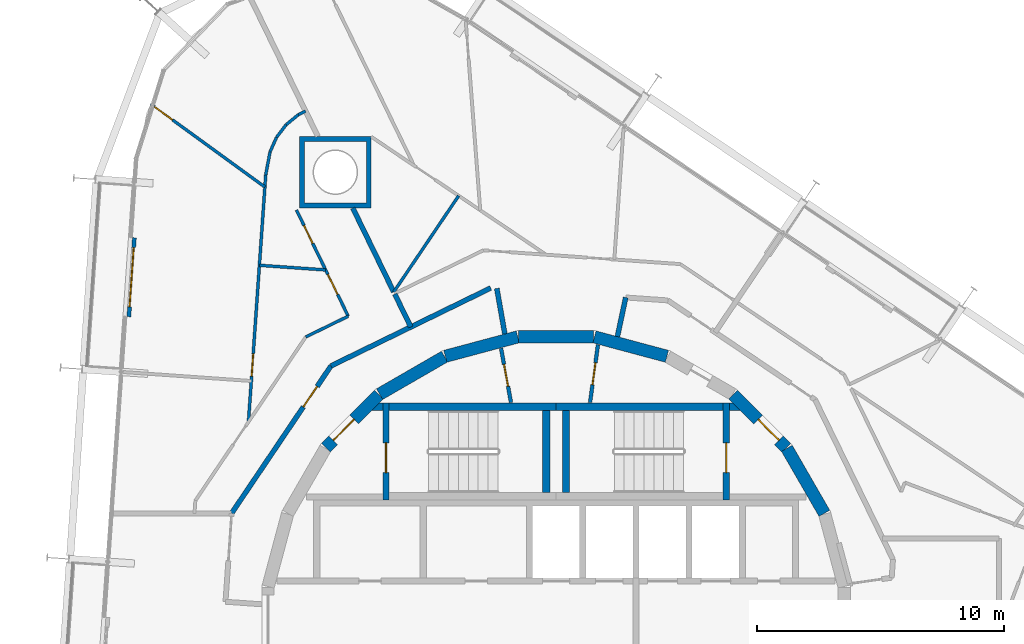
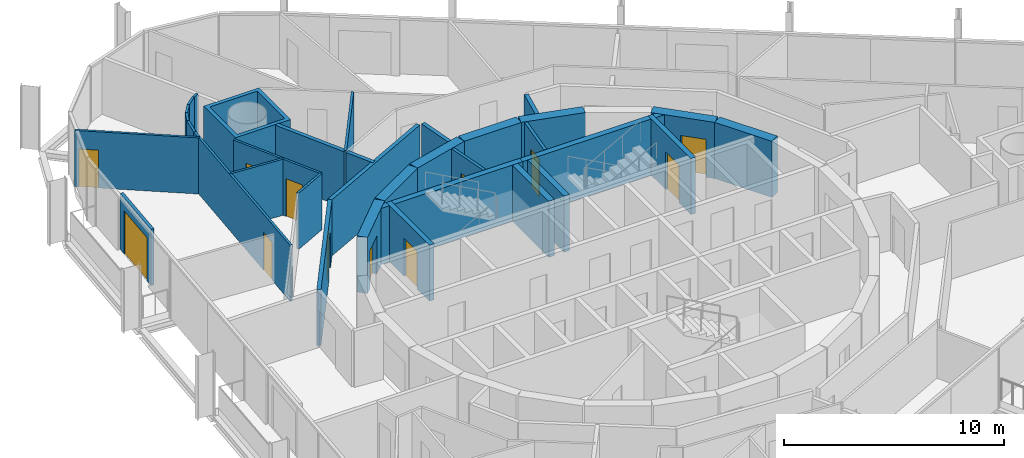
# One storey, part 15 of 18: 36 walls, 12 doors, 12 openings.
"""IFC4 building model written with IfcOpenShell, lengths in metres."""

from ifc_helpers import new_model, si_unit, direction, frame, frame_2d, origin, place, context, subcontext, project, spatial, polyline, rectangle, outline, extrude, material, layer, layer_set, type_object, element, fill, save


model = new_model("IFC4")

# Units and contexts
model_context = context("Model", 3, precision=1e-05, world=origin(), true_north=direction((0.0, 1.0)))
body_context = subcontext(model_context, "Body", "Model", "MODEL_VIEW")
ifc_project = project(units=[si_unit("LENGTHUNIT", "METRE"), si_unit("AREAUNIT", "SQUARE_METRE"), si_unit("VOLUMEUNIT", "CUBIC_METRE"), si_unit("PLANEANGLEUNIT", "RADIAN"), si_unit("MASSUNIT", "GRAM", prefix="KILO")], contexts=[model_context])

# Site, building, storey
site_placement = place(None, origin())
site = spatial("IfcSite", under=ifc_project, at=site_placement, CompositionType="ELEMENT")
building_placement = place(site_placement, origin())
building = spatial("IfcBuilding", under=site, at=building_placement, Name="Spindle Arch Residences", CompositionType="ELEMENT")
storey_placement = place(building_placement, frame((0.0, 0.0, 195.39990234375)))
storey = spatial("IfcBuildingStorey", under=building, at=storey_placement, Name="L49", CompositionType="ELEMENT", Elevation=195.39990234375)

# Wall
ifc_material_1 = material(Name="Concrete C50/60", Category="concrete")
ifc_layer_1 = layer(ifc_material_1, 0.5)
ifc_layer_set_1 = layer_set([ifc_layer_1], Name="Core outline wall 500")
wall_type_1 = type_object("IfcWallType", Name="Core outline wall 500", PredefinedType="SHEAR", material=ifc_layer_set_1)
wall_1_placement = place(storey_placement, frame((10.84521484375, 4.510498046875, 0.0), z_axis=(0.0, 0.0, 1.0), x_axis=(-0.500087131594, 0.865975092491, 0.0)))
element("IfcWall", 1, at=wall_1_placement, inside=storey, type_object=wall_type_1, Name="Core outline wall 8", PredefinedType="SHEAR", context=body_context, shape_type="SweptSolid", body=[
    extrude(rectangle(XDim=3.03271484375, YDim=0.5, at=frame_2d((1.516357421875, 0.0))), origin(), (0.0, 0.0, 1.0), 3.1201171875),
])

# Wall, opening, door
wall_2_placement = place(storey_placement, frame((9.30810546875, 7.163818359375, 0.0), z_axis=(0.0, 0.0, 1.0), x_axis=(-0.707106781187, 0.707106781187, 0.0)))
wall_2 = element("IfcWall", 2, at=wall_2_placement, inside=storey, type_object=wall_type_1, Name="Core outline wall 9", PredefinedType="SHEAR", context=body_context, shape_type="SweptSolid", body=[
    extrude(rectangle(XDim=3.032470703125, YDim=0.5, at=frame_2d((1.51611328125, 0.0))), origin(), (0.0, 0.0, 1.0), 3.1201171875),
])
opening_1_placement = place(wall_2_placement, frame((0.416259765625, 0.0, 0.0)))
opening_1 = element("IfcOpeningElement", 3, at=opening_1_placement, cuts=wall_2, Name="Opening R5A0-AD01", PredefinedType="OPENING", context=body_context, shape_type="SweptSolid", body=[
    extrude(rectangle(XDim=1.199951171875, YDim=2.10009765625, at=frame_2d((0.60009765625, 1.050048828125))), frame((0.0, 0.260009765625, 0.0), z_axis=(0.0, -1.0, 0.0), x_axis=(1.0, 0.0, 0.0)), (0.0, 0.0, 1.0), 0.52001953125),
])
ifc_material_2 = material(Name="Steel, fire-resisting door", Category="steel")
door_type_1 = type_object("IfcDoorType", Name="Stair airlock door 1200x2100", OperationType="SINGLE_SWING_LEFT", PredefinedType="DOOR", material=ifc_material_2)
door_1_placement = place(opening_1_placement, origin())
door_1 = element("IfcDoor", 4, at=door_1_placement, inside=storey, type_object=door_type_1, Name="Stair airlock door R5A0-AD01", OperationType="SINGLE_SWING_RIGHT", OverallHeight=2.10009765625, OverallWidth=1.199951171875, PredefinedType="DOOR", context=body_context, shape_type="SweptSolid", body=[
    extrude(rectangle(XDim=1.199951171875, YDim=2.10009765625, at=frame_2d((0.60009765625, 1.050048828125))), frame((0.0, 0.02490234375, 0.0), z_axis=(0.0, -1.0, 0.0), x_axis=(1.0, 0.0, 0.0)), (0.0, 0.0, 1.0), 0.050048828125),
])
fill(opening_1, door_1)

# Walls
for number, where, z_axis, x_axis, name in (
    (5, (4.479248046875, 10.858154296875, 0.0), (0.0, 0.0, 1.0), (-0.965948410781, 0.258734743916, 0.0), "Core outline wall 11"),
    (6, (1.516357421875, 11.647216796875, 0.0), (0.0, 0.0, 1.0), (-1.0, 0.0, 0.0), "Core outline wall 12"),
    (7, (-1.5498046875, 11.642822265625, 0.0), (0.0, 0.0, 1.0), (-0.965948410781, -0.258734743916, 0.0), "Core outline wall 13"),
    (8, (-4.510498046875, 10.84521484375, 0.0), (0.0, 0.0, 1.0), (-0.865975092491, -0.500087131594, 0.0), "Core outline wall 14"),
):
    element("IfcWall", number, at=place(storey_placement, frame(where, z_axis=z_axis, x_axis=x_axis)), inside=storey, type_object=wall_type_1, Name=name, PredefinedType="SHEAR", context=body_context, shape_type="SweptSolid", body=[
        extrude(rectangle(XDim=3.03271484375, YDim=0.5, at=frame_2d((1.516357421875, 0.0))), origin(), (0.0, 0.0, 1.0), 3.1201171875),
    ])

# Wall, opening, door
wall_3_placement = place(storey_placement, frame((-7.163818359375, 9.30810546875, 0.0), z_axis=(0.0, 0.0, 1.0), x_axis=(-0.707106781187, -0.707106781187, 0.0)))
wall_3 = element("IfcWall", 9, at=wall_3_placement, inside=storey, type_object=wall_type_1, Name="Core outline wall 15", PredefinedType="SHEAR", context=body_context, shape_type="SweptSolid", body=[
    extrude(rectangle(XDim=3.032470703125, YDim=0.5, at=frame_2d((1.51611328125, 0.0))), origin(), (0.0, 0.0, 1.0), 3.1201171875),
])
opening_2_placement = place(wall_3_placement, frame((1.416259765625, 0.0, 0.0)))
opening_2 = element("IfcOpeningElement", 10, at=opening_2_placement, cuts=wall_3, Name="Opening R5A0-AD02", PredefinedType="OPENING", context=body_context, shape_type="SweptSolid", body=[
    extrude(rectangle(XDim=1.199951171875, YDim=2.10009765625, at=frame_2d((0.60009765625, 1.050048828125))), frame((0.0, 0.260009765625, 0.0), z_axis=(0.0, -1.0, 0.0), x_axis=(1.0, 0.0, 0.0)), (0.0, 0.0, 1.0), 0.52001953125),
])
door_2_placement = place(opening_2_placement, origin())
door_2 = element("IfcDoor", 11, at=door_2_placement, inside=storey, type_object=door_type_1, Name="Stair airlock door R5A0-AD02", OperationType="SINGLE_SWING_RIGHT", OverallHeight=2.10009765625, OverallWidth=1.199951171875, PredefinedType="DOOR", context=body_context, shape_type="SweptSolid", body=[
    extrude(rectangle(XDim=1.199951171875, YDim=2.10009765625, at=frame_2d((0.60009765625, 1.050048828125))), frame((0.0, 0.02490234375, 0.0), z_axis=(0.0, -1.0, 0.0), x_axis=(1.0, 0.0, 0.0)), (0.0, 0.0, 1.0), 0.050048828125),
])
fill(opening_2, door_2)

# Walls
ifc_material_3 = material(Name="Calcium silicate block, plastered")
ifc_layer_2 = layer(ifc_material_3, 0.199951171875)
ifc_layer_set_2 = layer_set([ifc_layer_2], Name="Corridor wall 200")
wall_type_2 = type_object("IfcWallType", Name="Corridor wall 200", PredefinedType="STANDARD", material=ifc_layer_set_2)
wall_4_placement = place(storey_placement, frame((2.8134765625, 13.236083984375, 0.0), z_axis=(0.0, 0.0, 1.0), x_axis=(-0.207911086063, -0.978147729278, 0.0)))
element("IfcWall", 12, at=wall_4_placement, inside=storey, type_object=wall_type_2, Name="Corridor wall R5A0-W007", PredefinedType="STANDARD", context=body_context, shape_type="SweptSolid", body=[
    extrude(rectangle(XDim=1.6181640625, YDim=0.199951171875, at=frame_2d((0.80908203125, 0.0))), origin(), (0.0, 0.0, 1.0), 3.1201171875),
])
wall_5_placement = place(storey_placement, frame((-2.07373046875, 11.76123046875, 0.0), z_axis=(0.0, 0.0, 1.0), x_axis=(-0.173740587112, 0.984791454263, 0.0)))
element("IfcWall", 13, at=wall_5_placement, inside=storey, type_object=wall_type_2, Name="Corridor wall R5A0-W010", PredefinedType="STANDARD", context=body_context, shape_type="SweptSolid", body=[
    extrude(rectangle(XDim=1.867431640625, YDim=0.199951171875, at=frame_2d((0.93359375, 0.0))), origin(), (0.0, 0.0, 1.0), 3.1201171875),
])
wall_6_placement = place(storey_placement, frame((-2.64697265625, 13.617919921875, 0.0), z_axis=(0.0, 0.0, 1.0), x_axis=(-0.898796543751, -0.438366026218, 0.0)))
element("IfcWall", 14, at=wall_6_placement, inside=storey, type_object=wall_type_2, Name="Corridor wall R5A0-W011", PredefinedType="STANDARD", context=body_context, shape_type="SweptSolid", body=[
    extrude(rectangle(XDim=7.18115234375, YDim=0.199951171875, at=frame_2d((3.590576171875, 0.0))), origin(), (0.0, 0.0, 1.0), 3.1201171875),
])

# Wall, opening, door
wall_7_placement = place(storey_placement, frame((-9.101318359375, 10.469970703125, 0.0), z_axis=(0.0, 0.0, 1.0), x_axis=(-0.559195469534, -0.829035841718, 0.0)))
wall_7 = element("IfcWall", 15, at=wall_7_placement, inside=storey, type_object=wall_type_2, Name="Corridor wall R5A0-W012", PredefinedType="STANDARD", context=body_context, shape_type="SweptSolid", body=[
    extrude(rectangle(XDim=7.18115234375, YDim=0.199951171875, at=frame_2d((3.590576171875, 0.0))), origin(), (0.0, 0.0, 1.0), 3.1201171875),
])
opening_3_placement = place(wall_7_placement, frame((1.0, 0.0, 0.0)))
opening_3 = element("IfcOpeningElement", 16, at=opening_3_placement, cuts=wall_7, Name="Opening R5A0-FD03", PredefinedType="OPENING", context=body_context, shape_type="SweptSolid", body=[
    extrude(rectangle(XDim=1.0, YDim=2.10009765625, at=frame_2d((0.5, 1.050048828125))), frame((0.0, 0.10986328125, 0.0), z_axis=(0.0, -1.0, 0.0), x_axis=(1.0, 0.0, 0.0)), (0.0, 0.0, 1.0), 0.219970703125),
])
ifc_material_4 = material(Name="Timber, fire-resisting door set", Category="wood")
door_type_2 = type_object("IfcDoorType", Name="Flat entrance door 1000x2100", OperationType="NOTDEFINED", PredefinedType="DOOR", material=ifc_material_4)
door_3_placement = place(opening_3_placement, origin())
door_3 = element("IfcDoor", 17, at=door_3_placement, inside=storey, type_object=door_type_2, Name="Flat entrance door R5A0-FD03", OperationType="SINGLE_SWING_LEFT", OverallHeight=2.10009765625, OverallWidth=1.0, PredefinedType="DOOR", context=body_context, shape_type="SweptSolid", body=[
    extrude(rectangle(XDim=1.0, YDim=2.10009765625, at=frame_2d((0.5, 1.050048828125))), frame((0.0, 0.02490234375, 0.0), z_axis=(0.0, -1.0, 0.0), x_axis=(1.0, 0.0, 0.0)), (0.0, 0.0, 1.0), 0.050048828125),
])
fill(opening_3, door_3)

# Wall
ifc_material_5 = material(Name="Plasterboard on steel studs", Category="steel")
ifc_layer_3 = layer(ifc_material_5, 0.1201171875)
ifc_layer_set_3 = layer_set([ifc_layer_3], Name="Flat partition 120")
wall_type_3 = type_object("IfcWallType", Name="Flat partition 120", PredefinedType="PARTITIONING", material=ifc_layer_set_3)
wall_8_placement = place(storey_placement, frame((-3.939453125, 17.349853515625, 0.0), z_axis=(0.0, 0.0, 1.0), x_axis=(-0.559193216274, -0.829037361566, 0.0)))
element("IfcWall", 18, at=wall_8_placement, inside=storey, type_object=wall_type_3, Name="Flat partition R5A0-W056", PredefinedType="PARTITIONING", context=body_context, shape_type="SweptSolid", body=[
    extrude(rectangle(XDim=4.69384765625, YDim=0.1201171875, at=frame_2d((2.346923828125, 0.0))), origin(), (0.0, 0.0, 1.0), 3.1201171875),
])

# Wall, openings, doors
wall_9_placement = place(storey_placement, frame((-10.5, 16.774658203125, 0.0), z_axis=(0.0, 0.0, 1.0), x_axis=(0.438345136783, -0.898806731761, 0.0)))
wall_9 = element("IfcWall", 19, at=wall_9_placement, inside=storey, type_object=wall_type_3, Name="Flat partition R5A0-W058", PredefinedType="PARTITIONING", context=body_context, shape_type="SweptSolid", body=[
    extrude(rectangle(XDim=4.77978515625, YDim=0.1201171875, at=frame_2d((2.389892578125, 0.0))), origin(), (0.0, 0.0, 1.0), 3.1201171875),
])
opening_4_placement = place(wall_9_placement, frame((0.699951171875, 0.0, 0.0)))
opening_4 = element("IfcOpeningElement", 20, at=opening_4_placement, cuts=wall_9, Name="Opening R5A0-BD03", PredefinedType="OPENING", context=body_context, shape_type="SweptSolid", body=[
    extrude(rectangle(XDim=0.800048828125, YDim=2.10009765625, at=frame_2d((0.39990234375, 1.050048828125))), frame((0.0, 0.070068359375, 0.0), z_axis=(0.0, -1.0, 0.0), x_axis=(1.0, 0.0, 0.0)), (0.0, 0.0, 1.0), 0.14013671875),
])
opening_5_placement = place(wall_9_placement, frame((2.898681640625, 0.0, 0.0)))
opening_5 = element("IfcOpeningElement", 21, at=opening_5_placement, cuts=wall_9, Name="Opening R5A0-ID10", PredefinedType="OPENING", context=body_context, shape_type="SweptSolid", body=[
    extrude(rectangle(XDim=0.89990234375, YDim=2.10009765625, at=frame_2d((0.449951171875, 1.050048828125))), frame((0.0, 0.070068359375, 0.0), z_axis=(0.0, -1.0, 0.0), x_axis=(1.0, 0.0, 0.0)), (0.0, 0.0, 1.0), 0.14013671875),
])
ifc_material_6 = material(Name="Timber door set", Category="wood")
door_type_3 = type_object("IfcDoorType", Name="Bathroom door 800x2100", OperationType="NOTDEFINED", PredefinedType="DOOR", material=ifc_material_6)
door_4_placement = place(opening_4_placement, origin())
door_4 = element("IfcDoor", 22, at=door_4_placement, inside=storey, type_object=door_type_3, Name="Bathroom door R5A0-BD03", OperationType="SINGLE_SWING_LEFT", OverallHeight=2.10009765625, OverallWidth=0.800048828125, PredefinedType="DOOR", context=body_context, shape_type="SweptSolid", body=[
    extrude(rectangle(XDim=0.800048828125, YDim=2.10009765625, at=frame_2d((0.39990234375, 1.050048828125))), frame((0.0, 0.02490234375, 0.0), z_axis=(0.0, -1.0, 0.0), x_axis=(1.0, 0.0, 0.0)), (0.0, 0.0, 1.0), 0.050048828125),
])
fill(opening_4, door_4)
ifc_material_7 = material(Name="Timber door set", Category="wood")
door_type_4 = type_object("IfcDoorType", Name="Room door 900x2100", OperationType="NOTDEFINED", PredefinedType="DOOR", material=ifc_material_7)
door_5_placement = place(opening_5_placement, origin())
door_5 = element("IfcDoor", 23, at=door_5_placement, inside=storey, type_object=door_type_4, Name="Room door R5A0-ID10", OperationType="SINGLE_SWING_LEFT", OverallHeight=2.10009765625, OverallWidth=0.89990234375, PredefinedType="DOOR", context=body_context, shape_type="SweptSolid", body=[
    extrude(rectangle(XDim=0.89990234375, YDim=2.10009765625, at=frame_2d((0.449951171875, 1.050048828125))), frame((0.0, 0.02490234375, 0.0), z_axis=(0.0, -1.0, 0.0), x_axis=(1.0, 0.0, 0.0)), (0.0, 0.0, 1.0), 0.050048828125),
])
fill(opening_5, door_5)

# Wall
wall_10_placement = place(storey_placement, frame((-8.40478515625, 12.478515625, 0.0), z_axis=(0.0, 0.0, 1.0), x_axis=(-0.898784427692, -0.438390867307, 0.0)))
element("IfcWall", 24, at=wall_10_placement, inside=storey, type_object=wall_type_3, Name="Flat partition R5A0-W059", PredefinedType="PARTITIONING", context=body_context, shape_type="SweptSolid", body=[
    extrude(rectangle(XDim=1.908447265625, YDim=0.1201171875, at=frame_2d((0.9541015625, 0.0))), origin(), (0.0, 0.0, 1.0), 3.1201171875),
])

# Wall, opening, door
wall_11_placement = place(storey_placement, frame((-12.438720703125, 8.204345703125, 0.0), z_axis=(0.0, 0.0, 1.0), x_axis=(0.069750037523, 0.997564500303, 0.0)))
wall_11 = element("IfcWall", 25, at=wall_11_placement, inside=storey, type_object=wall_type_3, Name="Flat partition R5A0-W062", PredefinedType="PARTITIONING", context=body_context, shape_type="SweptSolid", body=[
    extrude(rectangle(XDim=10.01416015625, YDim=0.1201171875, at=frame_2d((5.007080078125, 0.0))), origin(), (0.0, 0.0, 1.0), 3.1201171875),
])
opening_6_placement = place(wall_11_placement, frame((1.859130859375, 0.0, 0.0)))
opening_6 = element("IfcOpeningElement", 26, at=opening_6_placement, cuts=wall_11, Name="Opening R5A0-ID12", PredefinedType="OPENING", context=body_context, shape_type="SweptSolid", body=[
    extrude(rectangle(XDim=0.89990234375, YDim=2.10009765625, at=frame_2d((0.449951171875, 1.050048828125))), frame((0.0, 0.070068359375, 0.0), z_axis=(0.0, -1.0, 0.0), x_axis=(1.0, 0.0, 0.0)), (0.0, 0.0, 1.0), 0.14013671875),
])
door_6_placement = place(opening_6_placement, origin())
door_6 = element("IfcDoor", 27, at=door_6_placement, inside=storey, type_object=door_type_4, Name="Room door R5A0-ID12", OperationType="SINGLE_SWING_LEFT", OverallHeight=2.10009765625, OverallWidth=0.89990234375, PredefinedType="DOOR", context=body_context, shape_type="SweptSolid", body=[
    extrude(rectangle(XDim=0.89990234375, YDim=2.10009765625, at=frame_2d((0.449951171875, 1.050048828125))), frame((0.0, 0.02490234375, 0.0), z_axis=(0.0, -1.0, 0.0), x_axis=(1.0, 0.0, 0.0)), (0.0, 0.0, 1.0), 0.050048828125),
])
fill(opening_6, door_6)

# Walls
wall_12_placement = place(storey_placement, frame((-11.740234375, 18.194091796875, 0.0), z_axis=(0.0, 0.0, 1.0), x_axis=(0.185144760846, 0.982711258474, 0.0)))
element("IfcWall", 28, at=wall_12_placement, inside=storey, type_object=wall_type_3, Name="Flat partition R5A0-W063", PredefinedType="PARTITIONING", context=body_context, shape_type="SweptSolid", body=[
    extrude(rectangle(XDim=0.94677734375, YDim=0.1201171875, at=frame_2d((0.473388671875, 0.0))), origin(), (0.0, 0.0, 1.0), 3.1201171875),
])
for number, where, z_axis, x_axis, name in (
    (29, (-11.56494140625, 19.12451171875, 0.0), (0.0, 0.0, 1.0), (0.406597190981, 0.913607532963, 0.0), "Flat partition R5A0-W064"),
    (30, (-11.303955078125, 19.7109375, 0.0), (0.0, 0.0, 1.0), (0.60667331935, 0.794951246045, 0.0), "Flat partition R5A0-W065"),
    (31, (-10.91455078125, 20.22119140625, 0.0), (0.0, 0.0, 1.0), (0.773278980213, 0.634065941965, 0.0), "Flat partition R5A0-W066"),
):
    element("IfcWall", number, at=place(storey_placement, frame(where, z_axis=z_axis, x_axis=x_axis)), inside=storey, type_object=wall_type_3, Name=name, PredefinedType="PARTITIONING", context=body_context, shape_type="SweptSolid", body=[
        extrude(rectangle(XDim=0.641845703125, YDim=0.1201171875, at=frame_2d((0.32080078125, 0.0))), origin(), (0.0, 0.0, 1.0), 3.1201171875),
    ])
wall_13_placement = place(storey_placement, frame((-10.418212890625, 20.628173828125, 0.0), z_axis=(0.0, 0.0, 1.0), x_axis=(0.898943795765, 0.438063981692, 0.0)))
element("IfcWall", 32, at=wall_13_placement, inside=storey, type_object=wall_type_3, Name="Flat partition R5A0-W067", PredefinedType="PARTITIONING", context=body_context, shape_type="SweptSolid", body=[
    extrude(rectangle(XDim=0.321044921875, YDim=0.1201171875, at=frame_2d((0.16064453125, 0.0))), origin(), (0.0, 0.0, 1.0), 3.1201171875),
])

# Wall, opening, door
wall_14_placement = place(storey_placement, frame((-16.39501953125, 21.060791015625, 0.0), z_axis=(0.0, 0.0, 1.0), x_axis=(0.808810002497, -0.58807004673, 0.0)))
wall_14 = element("IfcWall", 33, at=wall_14_placement, inside=storey, type_object=wall_type_3, Name="Flat partition R5A0-W068", PredefinedType="PARTITIONING", context=body_context, shape_type="SweptSolid", body=[
    extrude(rectangle(XDim=5.712646484375, YDim=0.1201171875, at=frame_2d((2.8564453125, 0.0))), origin(), (0.0, 0.0, 1.0), 3.1201171875),
])
opening_7_placement = place(wall_14_placement, frame((0.199951171875, 0.0, 0.0)))
opening_7 = element("IfcOpeningElement", 34, at=opening_7_placement, cuts=wall_14, Name="Opening R5A0-ID13", PredefinedType="OPENING", context=body_context, shape_type="SweptSolid", body=[
    extrude(rectangle(XDim=0.89990234375, YDim=2.10009765625, at=frame_2d((0.449951171875, 1.050048828125))), frame((0.0, 0.070068359375, 0.0), z_axis=(0.0, -1.0, 0.0), x_axis=(1.0, 0.0, 0.0)), (0.0, 0.0, 1.0), 0.14013671875),
])
door_7_placement = place(opening_7_placement, origin())
door_7 = element("IfcDoor", 35, at=door_7_placement, inside=storey, type_object=door_type_4, Name="Room door R5A0-ID13", OperationType="SINGLE_SWING_LEFT", OverallHeight=2.10009765625, OverallWidth=0.89990234375, PredefinedType="DOOR", context=body_context, shape_type="SweptSolid", body=[
    extrude(rectangle(XDim=0.89990234375, YDim=2.10009765625, at=frame_2d((0.449951171875, 1.050048828125))), frame((0.0, 0.02490234375, 0.0), z_axis=(0.0, -1.0, 0.0), x_axis=(1.0, 0.0, 0.0)), (0.0, 0.0, 1.0), 0.050048828125),
])
fill(opening_7, door_7)

# Walls
wall_15_placement = place(storey_placement, frame((-11.99609375, 14.536376953125, 0.0), z_axis=(0.0, 0.0, 1.0), x_axis=(0.997565991425, -0.069728708231, 0.0)))
element("IfcWall", 36, at=wall_15_placement, inside=storey, type_object=wall_type_3, Name="Flat partition R5A0-W069", PredefinedType="PARTITIONING", context=body_context, shape_type="SweptSolid", body=[
    extrude(rectangle(XDim=2.685546875, YDim=0.1201171875, at=frame_2d((1.3427734375, 0.0))), origin(), (0.0, 0.0, 1.0), 3.1201171875),
])
ifc_material_8 = material(Name="Calcium silicate block, plastered")
ifc_layer_4 = layer(ifc_material_8, 0.199951171875)
ifc_layer_set_4 = layer_set([ifc_layer_4], Name="Flat party wall 200")
wall_type_4 = type_object("IfcWallType", Name="Flat party wall 200", PredefinedType="STANDARD", material=ifc_layer_set_4)
wall_16_placement = place(storey_placement, frame((-6.5224609375, 13.373046875, 0.0), z_axis=(0.0, 0.0, 1.0), x_axis=(0.438277270821, -0.8988398266, 0.0)))
element("IfcWall", 37, at=wall_16_placement, inside=storey, type_object=wall_type_4, Name="Flat party wall R5A0-W029", PredefinedType="STANDARD", context=body_context, shape_type="SweptSolid", body=[
    extrude(rectangle(XDim=1.47900390625, YDim=0.199951171875, at=frame_2d((0.739501953125, 0.0))), origin(), (0.0, 0.0, 1.0), 3.1201171875),
])
wall_17_placement = place(storey_placement, frame((-8.219482421875, 16.8505859375, 0.0), z_axis=(0.0, 0.0, 1.0), x_axis=(0.438291091101, -0.898833087654, 0.0)))
element("IfcWall", 38, at=wall_17_placement, inside=storey, type_object=wall_type_4, Name="Flat party wall R5A0-W030", PredefinedType="STANDARD", context=body_context, shape_type="SweptSolid", body=[
    extrude(rectangle(XDim=3.7744140625, YDim=0.199951171875, at=frame_2d((1.88720703125, 0.0))), origin(), (0.0, 0.0, 1.0), 3.1201171875),
])

# Wall, opening, door
ifc_material_9 = material(Name="Non-combustible mineral wool insulated aluminium faced external wall (K0)", Category="aluminium")
ifc_layer_5 = layer(ifc_material_9, 0.159912109375)
ifc_layer_set_5 = layer_set([ifc_layer_5], Name="Insulated external wall panel 160")
wall_type_5 = type_object("IfcWallType", Name="Insulated external wall panel 160", PredefinedType="STANDARD", material=ifc_layer_set_5)
wall_18_placement = place(storey_placement, frame((-17.050537109375, 15.650390625, 0.0), z_axis=(0.0, 0.0, 1.0), x_axis=(-0.069734222855, -0.997565605944, 0.0)))
wall_18 = element("IfcWall", 39, at=wall_18_placement, inside=storey, type_object=wall_type_5, Name="External wall L49 bay 13", PredefinedType="STANDARD", context=body_context, shape_type="SweptSolid", body=[
    extrude(rectangle(XDim=3.199951171875, YDim=0.159912109375, at=frame_2d((1.60009765625, 0.0))), origin(), (0.0, 0.0, 1.0), 3.1201171875),
])
opening_8_placement = place(wall_18_placement, frame((0.39990234375, 0.0, 0.0)))
opening_8 = element("IfcOpeningElement", 40, at=opening_8_placement, cuts=wall_18, Name="Opening BD13", PredefinedType="OPENING", context=body_context, shape_type="SweptSolid", body=[
    extrude(rectangle(XDim=2.39990234375, YDim=2.39990234375, at=frame_2d((1.199951171875, 1.199951171875))), frame((0.0, 0.08984375, 0.0), z_axis=(0.0, -1.0, 0.0), x_axis=(1.0, 0.0, 0.0)), (0.0, 0.0, 1.0), 0.179931640625),
])
ifc_material_10 = material(Name="Bronze aluminium frame, tinted double glazing", Category="aluminium")
door_type_5 = type_object("IfcDoorType", Name="Sliding glazed balcony door 2400x2400", OperationType="DOUBLE_DOOR_SLIDING", PredefinedType="DOOR", material=ifc_material_10)
door_8_placement = place(opening_8_placement, origin())
door_8 = element("IfcDoor", 41, at=door_8_placement, inside=storey, type_object=door_type_5, Name="Balcony door BD13", OperationType="DOUBLE_DOOR_SLIDING", OverallHeight=2.39990234375, OverallWidth=2.39990234375, PredefinedType="DOOR", context=body_context, shape_type="SweptSolid", body=[
    extrude(rectangle(XDim=2.39990234375, YDim=2.39990234375, at=frame_2d((1.199951171875, 1.199951171875))), frame((0.0, 0.02490234375, 0.0), z_axis=(0.0, -1.0, 0.0), x_axis=(1.0, 0.0, 0.0)), (0.0, 0.0, 1.0), 0.050048828125),
])
fill(opening_8, door_8)

# Wall
ifc_material_11 = material(Name="Calcium silicate block, plastered")
ifc_layer_6 = layer(ifc_material_11, 0.199951171875)
ifc_layer_set_6 = layer_set([ifc_layer_6], Name="Mega-column casing wall 200")
wall_type_6 = type_object("IfcWallType", Name="Mega-column casing wall 200", PredefinedType="STANDARD", material=ifc_layer_set_6)
wall_19_placement = place(storey_placement, origin())
element("IfcWall", 42, at=wall_19_placement, inside=storey, type_object=wall_type_6, Name="Mega-column casing wall R5A0-WC01", PredefinedType="STANDARD", context=body_context, shape_type="SweptSolid", body=[
    extrude(outline(polyline([(-7.475830078125, 19.750732421875), (-7.475830078125, 16.850830078125), (-10.3759765625, 16.850830078125), (-10.3759765625, 19.750732421875), (-7.475830078125, 19.750732421875)]), holes=[polyline([(-10.17578125, 17.05078125), (-7.67578125, 17.05078125), (-7.67578125, 19.55078125), (-10.17578125, 19.55078125), (-10.17578125, 17.05078125)])]), origin(), (0.0, 0.0, 1.0), 3.1201171875),
])

# Wall, opening, door
ifc_material_12 = material(Name="Concrete C25/30", Category="concrete")
ifc_layer_7 = layer(ifc_material_12, 0.14990234375)
ifc_layer_set_7 = layer_set([ifc_layer_7], Name="Service room partition 150")
wall_type_7 = type_object("IfcWallType", Name="Service room partition 150", PredefinedType="PARTITIONING", material=ifc_layer_set_7)
wall_20_placement = place(storey_placement, frame((1.69091796875, 11.32568359375, 0.0), z_axis=(0.0, 0.0, 1.0), x_axis=(-0.135344253201, -0.990798633994, 0.0)))
wall_20 = element("IfcWall", 43, at=wall_20_placement, inside=storey, type_object=wall_type_7, Name="Core service room partition", PredefinedType="PARTITIONING", context=body_context, shape_type="SweptSolid", body=[
    extrude(rectangle(XDim=2.357666015625, YDim=0.14990234375, at=frame_2d((1.1787109375, 0.0))), origin(), (0.0, 0.0, 1.0), 3.1201171875),
])
opening_9_placement = place(wall_20_placement, frame((0.728759765625, 0.0, 0.0)))
opening_9 = element("IfcOpeningElement", 44, at=opening_9_placement, cuts=wall_20, Name="Opening R5A0-WD08", PredefinedType="OPENING", context=body_context, shape_type="SweptSolid", body=[
    extrude(rectangle(XDim=0.89990234375, YDim=2.10009765625, at=frame_2d((0.449951171875, 1.050048828125))), frame((0.0, 0.0849609375, 0.0), z_axis=(0.0, -1.0, 0.0), x_axis=(1.0, 0.0, 0.0)), (0.0, 0.0, 1.0), 0.169921875),
])
ifc_material_13 = material(Name="Steel, fire-resisting door", Category="steel")
door_type_6 = type_object("IfcDoorType", Name="Service room door 900x2100", OperationType="SINGLE_SWING_LEFT", PredefinedType="DOOR", material=ifc_material_13)
door_9_placement = place(opening_9_placement, origin())
door_9 = element("IfcDoor", 45, at=door_9_placement, inside=storey, type_object=door_type_6, Name="Service room door R5A0-WD08", OperationType="SINGLE_SWING_RIGHT", OverallHeight=2.10009765625, OverallWidth=0.89990234375, PredefinedType="DOOR", context=body_context, shape_type="SweptSolid", body=[
    extrude(rectangle(XDim=0.89990234375, YDim=2.10009765625, at=frame_2d((0.449951171875, 1.050048828125))), frame((0.0, 0.02490234375, 0.0), z_axis=(0.0, -1.0, 0.0), x_axis=(1.0, 0.0, 0.0)), (0.0, 0.0, 1.0), 0.050048828125),
])
fill(opening_9, door_9)

wall_21_placement = place(storey_placement, frame((-1.824951171875, 8.98974609375, 0.0), z_axis=(0.0, 0.0, 1.0), x_axis=(-0.179955206115, 0.983674805915, 0.0)))
wall_21 = element("IfcWall", 46, at=wall_21_placement, inside=storey, type_object=wall_type_7, Name="Core service room partition", PredefinedType="PARTITIONING", context=body_context, shape_type="SweptSolid", body=[
    extrude(rectangle(XDim=2.22900390625, YDim=0.14990234375, at=frame_2d((1.114501953125, 0.0))), origin(), (0.0, 0.0, 1.0), 3.1201171875),
])
opening_10_placement = place(wall_21_placement, frame((0.66455078125, 0.0, 0.0)))
opening_10 = element("IfcOpeningElement", 47, at=opening_10_placement, cuts=wall_21, Name="Opening R5A0-WD09", PredefinedType="OPENING", context=body_context, shape_type="SweptSolid", body=[
    extrude(rectangle(XDim=0.89990234375, YDim=2.10009765625, at=frame_2d((0.449951171875, 1.050048828125))), frame((0.0, 0.0849609375, 0.0), z_axis=(0.0, -1.0, 0.0), x_axis=(1.0, 0.0, 0.0)), (0.0, 0.0, 1.0), 0.169921875),
])
door_10_placement = place(opening_10_placement, origin())
door_10 = element("IfcDoor", 48, at=door_10_placement, inside=storey, type_object=door_type_6, Name="Service room door R5A0-WD09", OperationType="SINGLE_SWING_LEFT", OverallHeight=2.10009765625, OverallWidth=0.89990234375, PredefinedType="DOOR", context=body_context, shape_type="SweptSolid", body=[
    extrude(rectangle(XDim=0.89990234375, YDim=2.10009765625, at=frame_2d((0.449951171875, 1.050048828125))), frame((0.0, 0.02490234375, 0.0), z_axis=(0.0, -1.0, 0.0), x_axis=(1.0, 0.0, 0.0)), (0.0, 0.0, 1.0), 0.050048828125),
])
fill(opening_10, door_10)

# Walls
ifc_material_14 = material(Name="Concrete C40/50", Category="concrete")
wall_type_8 = type_object("IfcWallType", Name="Stair airlock wall profile", PredefinedType="SHEAR", material=ifc_material_14)
wall_22_placement = place(storey_placement, origin())
element("IfcWall", 49, at=wall_22_placement, inside=storey, type_object=wall_type_8, Name="Stair ST-1 airlock wall N", PredefinedType="SHEAR", context=body_context, shape_type="SweptSolid", body=[
    extrude(outline(polyline([(7.4482421875, 8.669921875), (7.0, 8.669921875), (7.0, 8.969970703125), (7.148193359375, 8.969970703125), (7.4482421875, 8.669921875)])), origin(), (0.0, 0.0, 1.0), 3.1201171875),
])
wall_23_placement = place(storey_placement, origin())
element("IfcWall", 50, at=wall_23_placement, inside=storey, type_object=wall_type_8, Name="Stair ST-2 airlock wall N", PredefinedType="SHEAR", context=body_context, shape_type="SweptSolid", body=[
    extrude(outline(polyline([(-7.148193359375, 8.969970703125), (-7.0, 8.969970703125), (-7.0, 8.669921875), (-7.4482421875, 8.669921875), (-7.148193359375, 8.969970703125)])), origin(), (0.0, 0.0, 1.0), 3.1201171875),
])

# Wall, opening, door
ifc_material_15 = material(Name="Concrete C50/60", Category="concrete")
ifc_layer_8 = layer(ifc_material_15, 0.25)
ifc_layer_set_8 = layer_set([ifc_layer_8], Name="Stair enclosure wall 250")
wall_type_9 = type_object("IfcWallType", Name="Stair enclosure wall 250", PredefinedType="SHEAR", material=ifc_layer_set_8)
wall_24_placement = place(storey_placement, frame((6.875, 5.050048828125, 0.0), z_axis=(0.0, 0.0, 1.0), x_axis=(0.0, 1.0, 0.0)))
wall_24 = element("IfcWall", 51, at=wall_24_placement, inside=storey, type_object=wall_type_9, Name="Stair ST-1 door wall", PredefinedType="SHEAR", context=body_context, shape_type="SweptSolid", body=[
    extrude(rectangle(XDim=3.919921875, YDim=0.25, at=frame_2d((1.9599609375, 0.0))), origin(), (0.0, 0.0, 1.0), 3.1201171875),
])
opening_11_placement = place(wall_24_placement, frame((1.110107421875, 0.0, 0.0)))
opening_11 = element("IfcOpeningElement", 52, at=opening_11_placement, cuts=wall_24, Name="Opening R5A0-SD01", PredefinedType="OPENING", context=body_context, shape_type="SweptSolid", body=[
    extrude(rectangle(XDim=1.199951171875, YDim=2.10009765625, at=frame_2d((0.60009765625, 1.050048828125))), frame((0.0, 0.135009765625, 0.0), z_axis=(0.0, -1.0, 0.0), x_axis=(1.0, 0.0, 0.0)), (0.0, 0.0, 1.0), 0.27001953125),
])
ifc_material_16 = material(Name="Steel, fire-resisting door", Category="steel")
door_type_7 = type_object("IfcDoorType", Name="Stair door 1200x2100", OperationType="SINGLE_SWING_RIGHT", PredefinedType="DOOR", material=ifc_material_16)
door_11_placement = place(opening_11_placement, origin())
door_11 = element("IfcDoor", 53, at=door_11_placement, inside=storey, type_object=door_type_7, Name="Stair door R5A0-SD01", OperationType="SINGLE_SWING_LEFT", OverallHeight=2.10009765625, OverallWidth=1.199951171875, PredefinedType="DOOR", context=body_context, shape_type="SweptSolid", body=[
    extrude(rectangle(XDim=1.199951171875, YDim=2.10009765625, at=frame_2d((0.60009765625, 1.050048828125))), frame((0.0, 0.02490234375, 0.0), z_axis=(0.0, -1.0, 0.0), x_axis=(1.0, 0.0, 0.0)), (0.0, 0.0, 1.0), 0.050048828125),
])
fill(opening_11, door_11)

wall_25_placement = place(storey_placement, frame((-6.875, 8.969970703125, 0.0), z_axis=(0.0, 0.0, 1.0), x_axis=(0.0, -1.0, 0.0)))
wall_25 = element("IfcWall", 54, at=wall_25_placement, inside=storey, type_object=wall_type_9, Name="Stair ST-2 door wall", PredefinedType="SHEAR", context=body_context, shape_type="SweptSolid", body=[
    extrude(rectangle(XDim=3.919921875, YDim=0.25, at=frame_2d((1.9599609375, 0.0))), origin(), (0.0, 0.0, 1.0), 3.1201171875),
])
opening_12_placement = place(wall_25_placement, frame((1.610107421875, 0.0, 0.0)))
opening_12 = element("IfcOpeningElement", 55, at=opening_12_placement, cuts=wall_25, Name="Opening R5A0-SD02", PredefinedType="OPENING", context=body_context, shape_type="SweptSolid", body=[
    extrude(rectangle(XDim=1.199951171875, YDim=2.10009765625, at=frame_2d((0.60009765625, 1.050048828125))), frame((0.0, 0.135009765625, 0.0), z_axis=(0.0, -1.0, 0.0), x_axis=(1.0, 0.0, 0.0)), (0.0, 0.0, 1.0), 0.27001953125),
])
door_12_placement = place(opening_12_placement, origin())
door_12 = element("IfcDoor", 56, at=door_12_placement, inside=storey, type_object=door_type_7, Name="Stair door R5A0-SD02", OperationType="SINGLE_SWING_LEFT", OverallHeight=2.10009765625, OverallWidth=1.199951171875, PredefinedType="DOOR", context=body_context, shape_type="SweptSolid", body=[
    extrude(rectangle(XDim=1.199951171875, YDim=2.10009765625, at=frame_2d((0.60009765625, 1.050048828125))), frame((0.0, 0.02490234375, 0.0), z_axis=(0.0, -1.0, 0.0), x_axis=(1.0, 0.0, 0.0)), (0.0, 0.0, 1.0), 0.050048828125),
])
fill(opening_12, door_12)

# Walls
ifc_material_17 = material(Name="Concrete C50/60", Category="concrete")
ifc_layer_9 = layer(ifc_material_17, 0.300048828125)
ifc_layer_set_9 = layer_set([ifc_layer_9], Name="Stair enclosure wall 300")
wall_type_10 = type_object("IfcWallType", Name="Stair enclosure wall 300", PredefinedType="SHEAR", material=ifc_layer_set_9)
wall_26_placement = place(storey_placement, frame((0.0, 8.820068359375, 0.0), z_axis=(0.0, 0.0, 1.0), x_axis=(1.0, 0.0, 0.0)))
element("IfcWall", 57, at=wall_26_placement, inside=storey, type_object=wall_type_10, Name="Stair ST-1 enclosure wall N", PredefinedType="SHEAR", context=body_context, shape_type="SweptSolid", body=[
    extrude(rectangle(XDim=6.75, YDim=0.300048828125, at=frame_2d((3.375, 0.0))), origin(), (0.0, 0.0, 1.0), 3.1201171875),
])
wall_27_placement = place(storey_placement, frame((0.39990234375, 5.35009765625, 0.0), z_axis=(0.0, 0.0, 1.0), x_axis=(0.0, 1.0, 0.0)))
element("IfcWall", 58, at=wall_27_placement, inside=storey, type_object=wall_type_10, Name="Stair ST-1 enclosure wall F", PredefinedType="SHEAR", context=body_context, shape_type="SweptSolid", body=[
    extrude(rectangle(XDim=3.31982421875, YDim=0.300048828125, at=frame_2d((1.659912109375, 0.0))), origin(), (0.0, 0.0, 1.0), 3.1201171875),
])
wall_28_placement = place(storey_placement, frame((-6.75, 8.820068359375, 0.0), z_axis=(0.0, 0.0, 1.0), x_axis=(1.0, 0.0, 0.0)))
element("IfcWall", 59, at=wall_28_placement, inside=storey, type_object=wall_type_10, Name="Stair ST-2 enclosure wall N", PredefinedType="SHEAR", context=body_context, shape_type="SweptSolid", body=[
    extrude(rectangle(XDim=6.75, YDim=0.300048828125, at=frame_2d((3.375, 0.0))), origin(), (0.0, 0.0, 1.0), 3.1201171875),
])
wall_29_placement = place(storey_placement, frame((-0.39990234375, 5.35009765625, 0.0), z_axis=(0.0, 0.0, 1.0), x_axis=(0.0, 1.0, 0.0)))
element("IfcWall", 60, at=wall_29_placement, inside=storey, type_object=wall_type_10, Name="Stair ST-2 enclosure wall F", PredefinedType="SHEAR", context=body_context, shape_type="SweptSolid", body=[
    extrude(rectangle(XDim=3.31982421875, YDim=0.300048828125, at=frame_2d((1.659912109375, 0.0))), origin(), (0.0, 0.0, 1.0), 3.1201171875),
])

save(model, "model.ifc")
